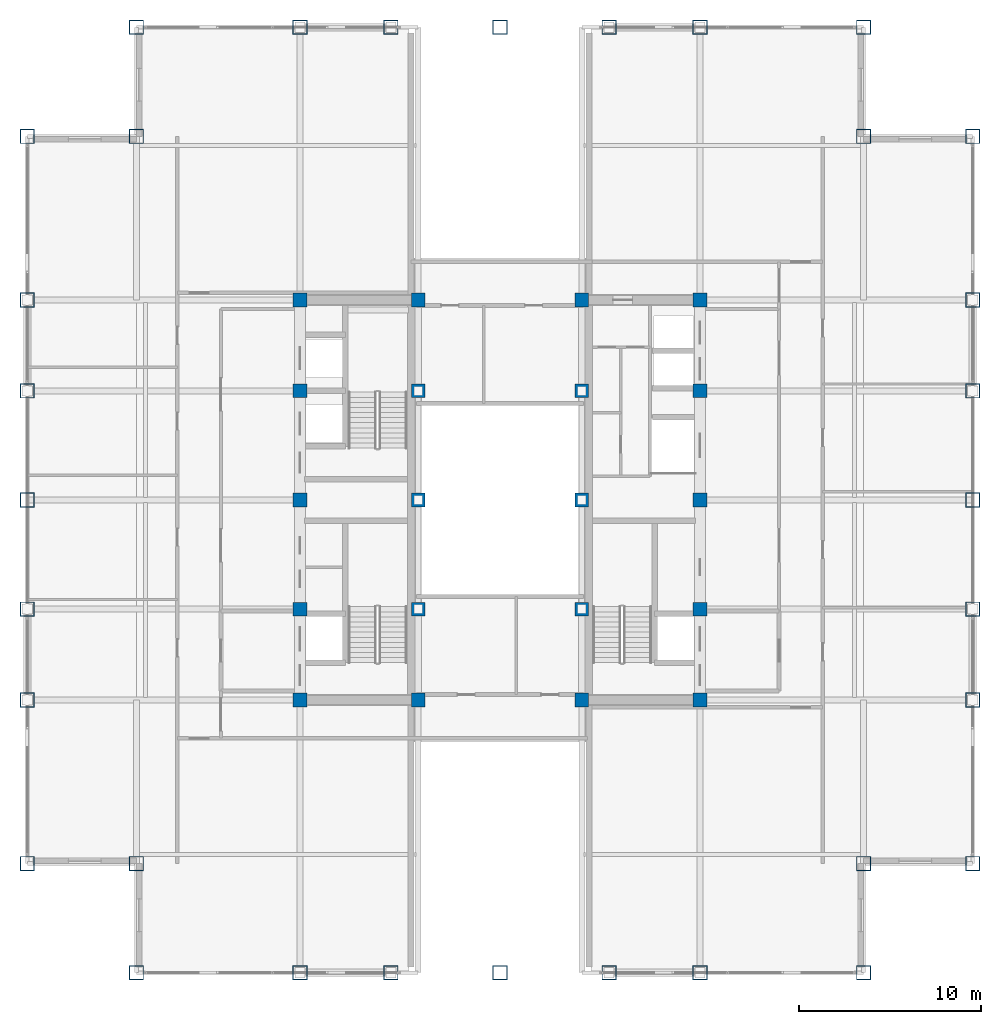
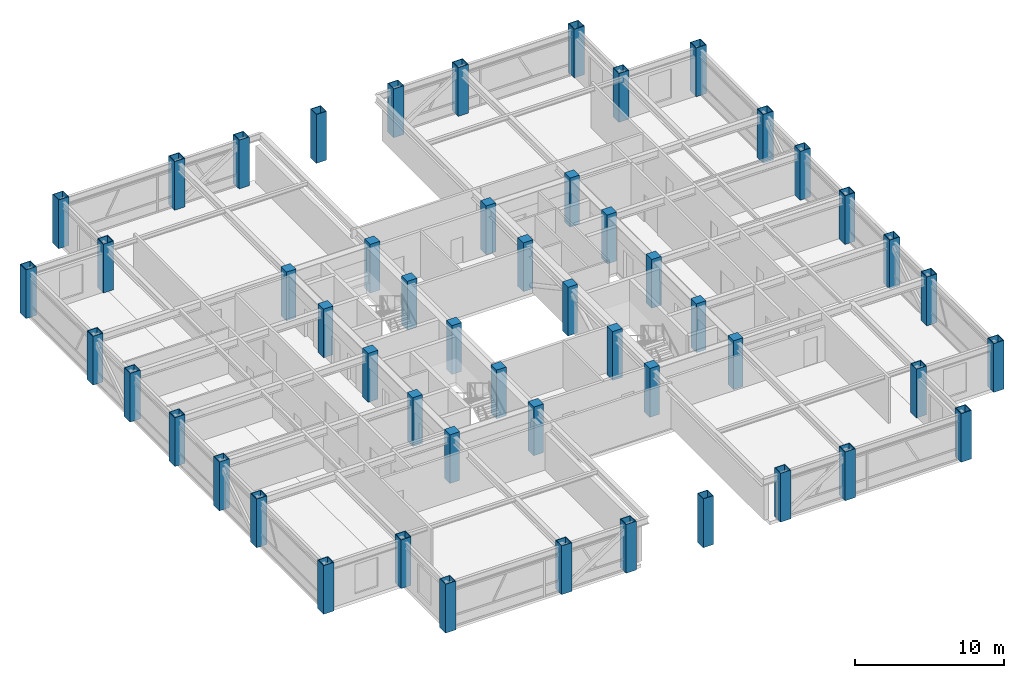
# One storey, part 1 of 29: 52 columns.
"""IFC4 building model written with IfcOpenShell, lengths in metres."""

import ifcopenshell
import ifcopenshell.guid

model = None  # the IFC model being written
_history = None  # IfcOwnerHistory: only IFC2X3 demands one
_inside = {}  # id of a spatial element -> (the spatial element, [elements in it])
_under = {}  # id of a project, library or spatial element -> (it, [spatial elements below it])
_declared = {}  # id of a project -> (the project, [libraries it declares])
_typed = {}  # id of a type object -> (the type object, [elements of that type])
_made_of = {}  # id of a material, layer set ... -> (it, [elements and type objects made of it])


def new_model(schema):
    """Start an empty IFC model of exactly this schema.

    Asked for "IFC4X3", IfcOpenShell would pick the latest addendum, in which some entities
    have other attributes; the version numbers below select the first issue.
    IFC2X3 requires an IfcOwnerHistory on every rooted entity: one is made here for all.
    """
    global model, _history
    if schema == "IFC4X3":
        model = ifcopenshell.file(schema_version=(4, 3, 0, 0))
    else:
        model = ifcopenshell.file(schema=schema)
    _inside.clear()
    _under.clear()
    _declared.clear()
    _typed.clear()
    _made_of.clear()
    _history = None
    if model.schema == "IFC2X3":
        org = make("IfcOrganization", Name="unknown")
        user = make(
            "IfcPersonAndOrganization",
            ThePerson=make("IfcPerson", FamilyName="unknown"),
            TheOrganization=org,
        )
        app = make(
            "IfcApplication",
            ApplicationDeveloper=org,
            Version="unknown",
            ApplicationFullName="unknown",
            ApplicationIdentifier="unknown",
        )
        _history = make(
            "IfcOwnerHistory",
            OwningUser=user,
            OwningApplication=app,
            ChangeAction="ADDED",
            CreationDate=0,
        )
    return model


def make(cls, **values):
    """One entity of the class cls with the attributes given. An attribute that is None is left unset."""
    return model.create_entity(
        cls, **{name: value for name, value in values.items() if value is not None}
    )


def rooted(cls, **values):
    """An entity with a GlobalId (a new one), such as an element, a storey or a relation."""
    return make(cls, GlobalId=ifcopenshell.guid.new(), OwnerHistory=_history, **values)


def si_unit(unit_type, name, prefix=None):
    """IfcSIUnit, for example si_unit("LENGTHUNIT", "METRE", prefix="MILLI")."""
    return make("IfcSIUnit", UnitType=unit_type, Prefix=prefix, Name=name)


def assignment(units):
    """IfcUnitAssignment: the units of a project."""
    return None if units is None else make("IfcUnitAssignment", Units=units)


def point(xyz):
    """IfcCartesianPoint."""
    return None if xyz is None else make("IfcCartesianPoint", Coordinates=xyz)


def direction(xyz):
    """IfcDirection."""
    return None if xyz is None else make("IfcDirection", DirectionRatios=xyz)


def frame(location, z_axis=None, x_axis=None):
    """IfcAxis2Placement3D, a coordinate frame: its origin and axes. An axis left out is left unset."""
    return make(
        "IfcAxis2Placement3D",
        Location=point(location),
        Axis=direction(z_axis),
        RefDirection=direction(x_axis),
    )


def frame_2d(location, x_axis=None):
    """IfcAxis2Placement2D, a coordinate frame in the plane: its origin and x axis."""
    return make(
        "IfcAxis2Placement2D", Location=point(location), RefDirection=direction(x_axis)
    )


def origin():
    """The frame at (0, 0, 0) with its axes left unset."""
    return frame((0.0, 0.0, 0.0))


def origin_2d():
    """The frame at (0, 0) in the plane with its x axis left unset."""
    return frame_2d((0.0, 0.0))


def place(relative_to, where):
    """IfcLocalPlacement: puts the frame where relative to a parent placement (None: the world)."""
    return make(
        "IfcLocalPlacement", PlacementRelTo=relative_to, RelativePlacement=where
    )


def context(
    kind, dimensions, precision=None, world=None, true_north=None, identifier=None
):
    """IfcGeometricRepresentationContext, for example the 3D "Model" context."""
    return make(
        "IfcGeometricRepresentationContext",
        ContextIdentifier=identifier,
        ContextType=kind,
        CoordinateSpaceDimension=dimensions,
        Precision=precision,
        WorldCoordinateSystem=world,
        TrueNorth=true_north,
    )


def subcontext(parent, identifier, kind, view, scale=None):
    """IfcGeometricRepresentationSubContext, for example "Body" below "Model"."""
    return make(
        "IfcGeometricRepresentationSubContext",
        ContextIdentifier=identifier,
        ContextType=kind,
        ParentContext=parent,
        TargetScale=scale,
        TargetView=view,
    )


def project(units=None, contexts=None):
    """IfcProject with its units and contexts."""
    return rooted(
        "IfcProject",
        Name="project",
        RepresentationContexts=contexts,
        UnitsInContext=assignment(units),
    )


def spatial(cls, under=None, at=None, **own):
    """A site, building, storey or space (cls), placed at a placement, below another one or the project."""
    s = rooted(cls, ObjectPlacement=at, **own)
    if under is not None:
        _under.setdefault(under.id(), (under, []))[1].append(s)
    return s


def profile(cls, at=None, kind="AREA", **sizes):
    """A parametric profile (cls). Its sizes go by their IFC names, for example OverallWidth=200.0."""
    return make(cls, ProfileType=kind, Position=at, **sizes)


def rectangle(**sizes):
    """IfcRectangleProfileDef."""
    return profile("IfcRectangleProfileDef", **sizes)


def hollow_rectangle(**sizes):
    """IfcRectangleHollowProfileDef."""
    return profile("IfcRectangleHollowProfileDef", **sizes)


def extrude(swept, where, along, depth):
    """IfcExtrudedAreaSolid: the profile swept, set in the frame where, extruded along a direction by depth."""
    return make(
        "IfcExtrudedAreaSolid",
        SweptArea=swept,
        Position=where,
        ExtrudedDirection=direction(along),
        Depth=depth,
    )


def shape(context_of_items, identifier, shape_type, items):
    """IfcShapeRepresentation: the items that make up one representation, for example the "Body"."""
    return make(
        "IfcShapeRepresentation",
        ContextOfItems=context_of_items,
        RepresentationIdentifier=identifier,
        RepresentationType=shape_type,
        Items=items,
    )


def source(mapping_origin, context_of_items, identifier, shape_type, items):
    """IfcRepresentationMap: a shape defined once, which mapped items show again and again."""
    return make(
        "IfcRepresentationMap",
        MappingOrigin=mapping_origin,
        MappedRepresentation=shape(context_of_items, identifier, shape_type, items),
    )


def transform(
    local_origin,
    x_axis=None,
    y_axis=None,
    z_axis=None,
    scale=None,
    scale2=None,
    scale3=None,
    uniform=True,
):
    """IfcCartesianTransformationOperator3D, or its non-uniform kind. x_axis, y_axis, z_axis: its Axis1, 2, 3."""
    if uniform:
        return make(
            "IfcCartesianTransformationOperator3D",
            Axis1=direction(x_axis),
            Axis2=direction(y_axis),
            LocalOrigin=point(local_origin),
            Scale=scale,
            Axis3=direction(z_axis),
        )
    return make(
        "IfcCartesianTransformationOperator3DnonUniform",
        Axis1=direction(x_axis),
        Axis2=direction(y_axis),
        LocalOrigin=point(local_origin),
        Scale=scale,
        Axis3=direction(z_axis),
        Scale2=scale2,
        Scale3=scale3,
    )


def mapped(mapping_source, mapping_target):
    """IfcMappedItem: shows the shape of a source again, moved by a transform."""
    return make(
        "IfcMappedItem", MappingSource=mapping_source, MappingTarget=mapping_target
    )


def material(Name=None, Category=None):
    """IfcMaterial."""
    return make("IfcMaterial", Name=Name, Category=Category)


def material_profile(
    of_material, cross_section, Name=None, Category=None, Priority=None
):
    """IfcMaterialProfile: a cross section and its material."""
    return make(
        "IfcMaterialProfile",
        Name=Name,
        Material=of_material,
        Profile=cross_section,
        Priority=Priority,
        Category=Category,
    )


def profile_set(profiles, Name=None, composite=None):
    """IfcMaterialProfileSet."""
    return make(
        "IfcMaterialProfileSet",
        Name=Name,
        MaterialProfiles=profiles,
        CompositeProfile=composite,
    )


def made_of(thing, what):
    """Note that an element or type object is made of a material, layer set ...; save() writes the relation."""
    if what is not None:
        _made_of.setdefault(what.id(), (what, []))[1].append(thing)
    return thing


def type_object(cls, material=None, **own):
    """A type object (cls), such as IfcWallType, which elements share."""
    return made_of(rooted(cls, **own), material)


def element(
    cls,
    number,
    at=None,
    inside=None,
    cuts=None,
    type_object=None,
    material=None,
    context=None,
    identifier="Body",
    shape_type=None,
    held_by="IfcProductDefinitionShape",
    body=None,
    shapes=None,
    **own,
):
    """One element of the class cls, such as IfcWall. Its Tag is "e" and its number.

    at: its placement. inside: the storey or other place that contains it. cuts: it is an
    opening in that element (IfcRelVoidsElement). A single representation is given by context,
    identifier, shape_type and body (its items); several are given by shapes. held_by: the class
    of the entity that holds the representations. save() writes the other relations.
    """
    e = rooted(cls, Tag="e%d" % number, ObjectPlacement=at, **own)
    if body is not None:
        shapes = [shape(context, identifier, shape_type, body)]
    if shapes is not None:
        e.Representation = make(held_by, Representations=shapes)
    if inside is not None:
        _inside.setdefault(inside.id(), (inside, []))[1].append(e)
    if cuts is not None:
        rooted(
            "IfcRelVoidsElement", RelatingBuildingElement=cuts, RelatedOpeningElement=e
        )
    if type_object is not None:
        _typed.setdefault(type_object.id(), (type_object, []))[1].append(e)
    return made_of(e, material)


def aggregate(whole, parts):
    """IfcRelAggregates: a whole, such as a stair, and the parts it consists of."""
    return rooted("IfcRelAggregates", RelatingObject=whole, RelatedObjects=parts)


def save(model, path):
    """Write the relations noted so far, then the file.

    IfcRelAggregates (storeys below a building ...), IfcRelContainedInSpatialStructure (elements
    in a storey), IfcRelDefinesByType, IfcRelAssociatesMaterial and IfcRelDeclares: one each for
    every whole, place, type object, material and project.
    """
    for whole, parts in _under.values():
        aggregate(whole, parts)
    for where, things in _inside.values():
        rooted(
            "IfcRelContainedInSpatialStructure",
            RelatedElements=things,
            RelatingStructure=where,
        )
    for kind, things in _typed.values():
        rooted("IfcRelDefinesByType", RelatedObjects=things, RelatingType=kind)
    for what, things in _made_of.values():
        rooted("IfcRelAssociatesMaterial", RelatedObjects=things, RelatingMaterial=what)
    for by, libraries in _declared.values():
        rooted("IfcRelDeclares", RelatingContext=by, RelatedDefinitions=libraries)
    model.write(path)


model = new_model("IFC4")

# Units and contexts
model_context = context("Model", 3, precision=1e-05, world=origin(), true_north=direction((0.0, 1.0)))
body_context = subcontext(model_context, "Body", "Model", "MODEL_VIEW")
ifc_project = project(units=[si_unit("LENGTHUNIT", "METRE"), si_unit("AREAUNIT", "SQUARE_METRE"), si_unit("VOLUMEUNIT", "CUBIC_METRE"), si_unit("PLANEANGLEUNIT", "RADIAN"), si_unit("MASSUNIT", "GRAM", prefix="KILO")], contexts=[model_context])

# Site, building, storey
site_placement = place(None, origin())
site = spatial("IfcSite", under=ifc_project, at=site_placement, CompositionType="ELEMENT")
building_placement = place(site_placement, origin())
building = spatial("IfcBuilding", under=site, at=building_placement, Name="Khorayat Bourse Tower", CompositionType="ELEMENT")
storey_placement = place(building_placement, frame((0.0, 0.0, 350.300048828125)))
storey = spatial("IfcBuildingStorey", under=building, at=storey_placement, Name="L83", CompositionType="ELEMENT", Elevation=350.300048828125)

# Columns
ifc_material_1 = material(Name="Concrete C52/65", Category="concrete")
ifc_material_profile_1 = material_profile(ifc_material_1, rectangle(XDim=0.75, YDim=0.75, at=origin_2d()), Name="RC 750x750")
ifc_profile_set_1 = profile_set([ifc_material_profile_1], Name="Concrete C52/65")
column_type_1 = type_object("IfcColumnType", Name="COL-CORE-750", PredefinedType="COLUMN", material=ifc_profile_set_1)
shared_shape_1 = source(origin(), body_context, "Body", "SweptSolid", [
    extrude(rectangle(XDim=0.75, YDim=0.75, at=origin_2d()), origin(), (0.0, 0.0, 1.0), 4.0),
])
for number, where, z_axis, x_axis, name in (
    (1, (-11.0, -11.0, 0.0), (0.0, 0.0, 1.0), (1.0, 0.0, 0.0), "L83 Column 013"),
    (2, (-11.0, -6.0, 0.0), (0.0, 0.0, 1.0), (1.0, 0.0, 0.0), "L83 Column 014"),
    (3, (-11.0, 0.0, 0.0), (0.0, 0.0, 1.0), (1.0, 0.0, 0.0), "L83 Column 015"),
    (4, (-11.0, 6.0, 0.0), (0.0, 0.0, 1.0), (1.0, 0.0, 0.0), "L83 Column 016"),
    (5, (-11.0, 11.0, 0.0), (0.0, 0.0, 1.0), (1.0, 0.0, 0.0), "L83 Column 017"),
    (6, (-4.5, -11.0, 0.0), (0.0, 0.0, 1.0), (1.0, 0.0, 0.0), "L83 Column 021"),
    (7, (-4.5, -6.0, 0.0), (0.0, 0.0, 1.0), (1.0, 0.0, 0.0), "L83 Column 022"),
    (8, (-4.5, 0.0, 0.0), (0.0, 0.0, 1.0), (1.0, 0.0, 0.0), "L83 Column 023"),
    (9, (-4.5, 6.0, 0.0), (0.0, 0.0, 1.0), (1.0, 0.0, 0.0), "L83 Column 024"),
    (10, (-4.5, 11.0, 0.0), (0.0, 0.0, 1.0), (1.0, 0.0, 0.0), "L83 Column 025"),
    (11, (4.5, -11.0, 0.0), (0.0, 0.0, 1.0), (1.0, 0.0, 0.0), "L83 Column 028"),
    (12, (4.5, -6.0, 0.0), (0.0, 0.0, 1.0), (1.0, 0.0, 0.0), "L83 Column 029"),
    (13, (4.5, 0.0, 0.0), (0.0, 0.0, 1.0), (1.0, 0.0, 0.0), "L83 Column 030"),
    (14, (4.5, 6.0, 0.0), (0.0, 0.0, 1.0), (1.0, 0.0, 0.0), "L83 Column 031"),
    (15, (4.5, 11.0, 0.0), (0.0, 0.0, 1.0), (1.0, 0.0, 0.0), "L83 Column 032"),
    (16, (11.0, -11.0, 0.0), (0.0, 0.0, 1.0), (1.0, 0.0, 0.0), "L83 Column 036"),
    (17, (11.0, -6.0, 0.0), (0.0, 0.0, 1.0), (1.0, 0.0, 0.0), "L83 Column 037"),
    (18, (11.0, 0.0, 0.0), (0.0, 0.0, 1.0), (1.0, 0.0, 0.0), "L83 Column 038"),
    (19, (11.0, 6.0, 0.0), (0.0, 0.0, 1.0), (1.0, 0.0, 0.0), "L83 Column 039"),
    (20, (11.0, 11.0, 0.0), (0.0, 0.0, 1.0), (1.0, 0.0, 0.0), "L83 Column 040"),
):
    element("IfcColumn", number, at=place(storey_placement, frame(where, z_axis=z_axis, x_axis=x_axis)), inside=storey, type_object=column_type_1, Name=name, PredefinedType="COLUMN", context=body_context, shape_type="MappedRepresentation", body=[
        mapped(shared_shape_1, transform((0.0, 0.0, 0.0), scale=1.0)),
    ])
ifc_material_2 = material(Name="Steel EN 10025-2 S355J2", Category="steel")
ifc_material_profile_2 = material_profile(ifc_material_2, hollow_rectangle(XDim=0.800048828125, YDim=0.800048828125, WallThickness=0.044921875, at=origin_2d()), Name="BOX 800x800x45")
ifc_profile_set_2 = profile_set([ifc_material_profile_2], Name="Steel EN 10025-2 S355J2")
column_type_2 = type_object("IfcColumnType", Name="COL-TUBE-800", PredefinedType="COLUMN", material=ifc_profile_set_2)
shared_shape_2 = source(origin(), body_context, "Body", "SweptSolid", [
    extrude(hollow_rectangle(XDim=0.800048828125, YDim=0.800048828125, WallThickness=0.044921875, at=origin_2d()), origin(), (0.0, 0.0, 1.0), 4.0),
])
for number, where, z_axis, x_axis, name in (
    (21, (-26.0, -20.0, 0.0), (0.0, 0.0, 1.0), (1.0, 0.0, 0.0), "L83 Column 001"),
    (22, (-26.0, -11.0, 0.0), (0.0, 0.0, 1.0), (1.0, 0.0, 0.0), "L83 Column 002"),
    (23, (-26.0, -6.0, 0.0), (0.0, 0.0, 1.0), (1.0, 0.0, 0.0), "L83 Column 003"),
    (24, (-26.0, 0.0, 0.0), (0.0, 0.0, 1.0), (1.0, 0.0, 0.0), "L83 Column 004"),
    (25, (-26.0, 6.0, 0.0), (0.0, 0.0, 1.0), (1.0, 0.0, 0.0), "L83 Column 005"),
    (26, (-26.0, 11.0, 0.0), (0.0, 0.0, 1.0), (1.0, 0.0, 0.0), "L83 Column 006"),
    (27, (-26.0, 20.0, 0.0), (0.0, 0.0, 1.0), (1.0, 0.0, 0.0), "L83 Column 007"),
    (28, (-20.0, -26.0, 0.0), (0.0, 0.0, 1.0), (1.0, 0.0, 0.0), "L83 Column 008"),
    (29, (-20.0, -20.0, 0.0), (0.0, 0.0, 1.0), (1.0, 0.0, 0.0), "L83 Column 009"),
    (30, (-20.0, 20.0, 0.0), (0.0, 0.0, 1.0), (1.0, 0.0, 0.0), "L83 Column 010"),
    (31, (-20.0, 26.0, 0.0), (0.0, 0.0, 1.0), (1.0, 0.0, 0.0), "L83 Column 011"),
    (32, (-11.0, -26.0, 0.0), (0.0, 0.0, 1.0), (1.0, 0.0, 0.0), "L83 Column 012"),
    (33, (-11.0, 26.0, 0.0), (0.0, 0.0, 1.0), (1.0, 0.0, 0.0), "L83 Column 018"),
    (34, (-6.0, -26.0, 0.0), (0.0, 0.0, 1.0), (1.0, 0.0, 0.0), "L83 Column 019"),
    (35, (-6.0, 26.0, 0.0), (0.0, 0.0, 1.0), (1.0, 0.0, 0.0), "L83 Column 020"),
    (36, (0.0, -26.0, 0.0), (0.0, 0.0, 1.0), (1.0, 0.0, 0.0), "L83 Column 026"),
    (37, (0.0, 26.0, 0.0), (0.0, 0.0, 1.0), (1.0, 0.0, 0.0), "L83 Column 027"),
    (38, (6.0, -26.0, 0.0), (0.0, 0.0, 1.0), (1.0, 0.0, 0.0), "L83 Column 033"),
    (39, (6.0, 26.0, 0.0), (0.0, 0.0, 1.0), (1.0, 0.0, 0.0), "L83 Column 034"),
    (40, (11.0, -26.0, 0.0), (0.0, 0.0, 1.0), (1.0, 0.0, 0.0), "L83 Column 035"),
    (41, (11.0, 26.0, 0.0), (0.0, 0.0, 1.0), (1.0, 0.0, 0.0), "L83 Column 041"),
    (42, (20.0, -26.0, 0.0), (0.0, 0.0, 1.0), (1.0, 0.0, 0.0), "L83 Column 042"),
    (43, (20.0, -20.0, 0.0), (0.0, 0.0, 1.0), (1.0, 0.0, 0.0), "L83 Column 043"),
    (44, (20.0, 20.0, 0.0), (0.0, 0.0, 1.0), (1.0, 0.0, 0.0), "L83 Column 044"),
    (45, (20.0, 26.0, 0.0), (0.0, 0.0, 1.0), (1.0, 0.0, 0.0), "L83 Column 045"),
    (46, (26.0, -20.0, 0.0), (0.0, 0.0, 1.0), (1.0, 0.0, 0.0), "L83 Column 046"),
    (47, (26.0, -11.0, 0.0), (0.0, 0.0, 1.0), (1.0, 0.0, 0.0), "L83 Column 047"),
    (48, (26.0, -6.0, 0.0), (0.0, 0.0, 1.0), (1.0, 0.0, 0.0), "L83 Column 048"),
    (49, (26.0, 0.0, 0.0), (0.0, 0.0, 1.0), (1.0, 0.0, 0.0), "L83 Column 049"),
    (50, (26.0, 6.0, 0.0), (0.0, 0.0, 1.0), (1.0, 0.0, 0.0), "L83 Column 050"),
    (51, (26.0, 11.0, 0.0), (0.0, 0.0, 1.0), (1.0, 0.0, 0.0), "L83 Column 051"),
    (52, (26.0, 20.0, 0.0), (0.0, 0.0, 1.0), (1.0, 0.0, 0.0), "L83 Column 052"),
):
    element("IfcColumn", number, at=place(storey_placement, frame(where, z_axis=z_axis, x_axis=x_axis)), inside=storey, type_object=column_type_2, Name=name, PredefinedType="COLUMN", context=body_context, shape_type="MappedRepresentation", body=[
        mapped(shared_shape_2, transform((0.0, 0.0, 0.0), scale=1.0)),
    ])

save(model, "model.ifc")
